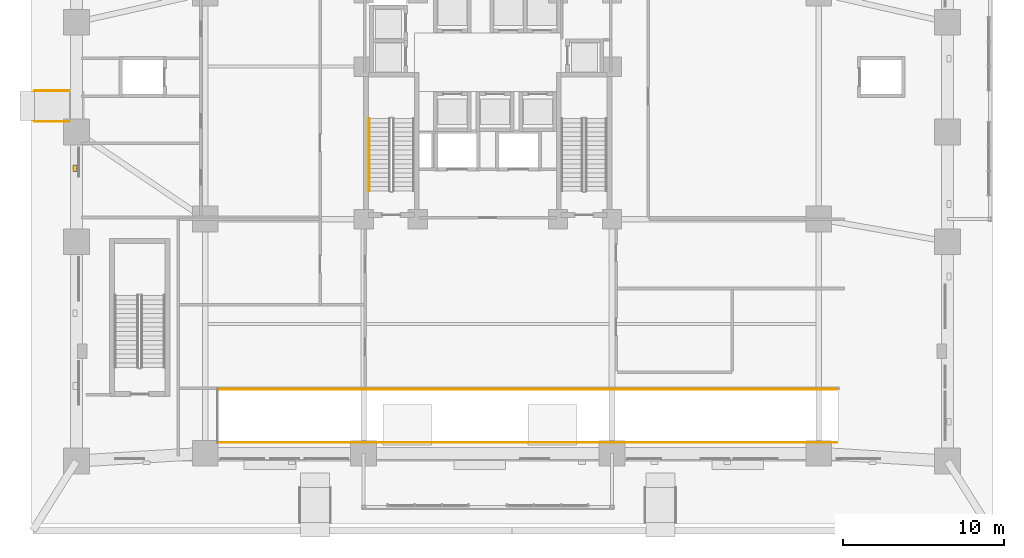
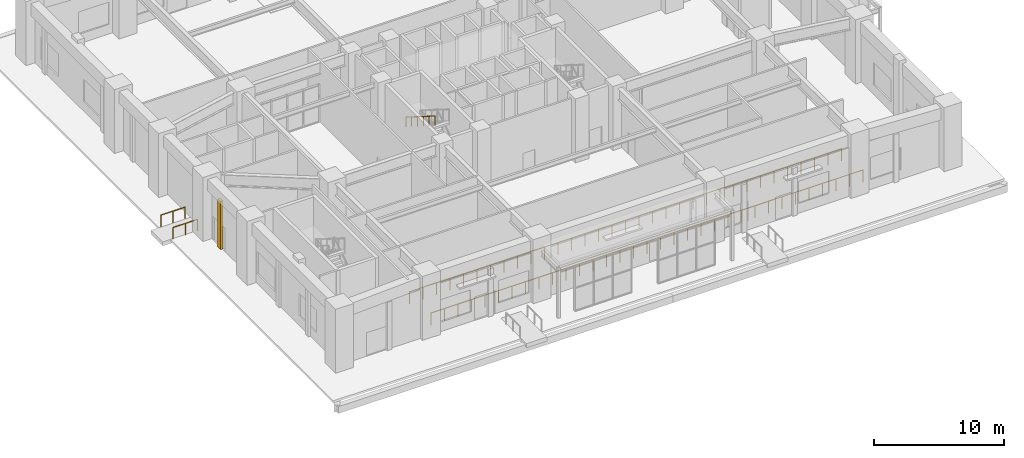
# One storey, part 19 of 24: 5 railings, 1 covering.
"""IFC4 building model written with IfcOpenShell, lengths in metres."""

from ifc_helpers import new_model, si_unit, derived_unit, direction, frame, origin, origin_2d, place, context, subcontext, project, spatial, rectangle, circle, extrude, material, layer, layer_set, type_object, element, save


model = new_model("IFC4")

# Units and contexts
model_context = context("Model", 3, precision=1e-05, world=origin(), true_north=direction((0.0, 1.0)))
body_context = subcontext(model_context, "Body", "Model", "MODEL_VIEW")
ifc_project = project(units=[si_unit("LENGTHUNIT", "METRE"), si_unit("AREAUNIT", "SQUARE_METRE"), si_unit("VOLUMEUNIT", "CUBIC_METRE"), si_unit("PLANEANGLEUNIT", "RADIAN"), si_unit("MASSUNIT", "GRAM", prefix="KILO"), derived_unit("THERMALTRANSMITTANCEUNIT", [(si_unit("MASSUNIT", "GRAM", prefix="KILO"), 1), (si_unit("TIMEUNIT", "SECOND"), -3), (si_unit("THERMODYNAMICTEMPERATUREUNIT", "KELVIN"), -1)])], contexts=[model_context])

# Site, building, storey
site_placement = place(None, origin())
site = spatial("IfcSite", under=ifc_project, at=site_placement, CompositionType="ELEMENT")
building_placement = place(site_placement, origin())
building = spatial("IfcBuilding", under=site, at=building_placement, Name="Korrvale Station Residences", CompositionType="ELEMENT")
storey_placement = place(building_placement, origin())
storey = spatial("IfcBuildingStorey", under=building, at=storey_placement, Name="L00", CompositionType="ELEMENT", Elevation=0.0)

# Covering
ifc_material_1 = material(Name="Architectural precast concrete C45/55", Category="concrete")
ifc_layer = layer(ifc_material_1, 0.219970703125, Name="Architectural precast concrete C45/55")
ifc_layer_set = layer_set([ifc_layer], Name="Architectural precast concrete C45/55")
covering_type = type_object("IfcCoveringType", Name="COV-PIER-400", PredefinedType="CLADDING", material=ifc_layer_set)
covering_placement = place(storey_placement, frame((-0.090087890625, 18.159912109375, 0.02490234375), z_axis=(0.0, 0.0, 1.0), x_axis=(0.0, 1.0, 0.0)))
element("IfcCovering", 1, at=covering_placement, inside=storey, type_object=covering_type, Name="L00 Architectural Precast Facade Pier 15", PredefinedType="CLADDING", context=body_context, shape_type="SweptSolid", body=[
    extrude(rectangle(XDim=0.419921875, YDim=0.219970703125, at=origin_2d()), origin(), (0.0, 0.0, 1.0), 4.514892578125),
])

# Railings
ifc_material_2 = material(Name="Laminated glass and brushed bronze interior atrium balustrade", Category="glass")
railing_type_1 = type_object("IfcRailingType", Name="RLG-ATR-1150", PredefinedType="BALUSTRADE", material=ifc_material_2)
railing_1_placement = place(storey_placement, frame((8.800048828125, 4.449951171875, 0.0)))
element("IfcRailing", 2, at=railing_1_placement, inside=storey, type_object=railing_type_1, Name="L00 Vehicle Ramp Well North Guardrail", PredefinedType="BALUSTRADE", context=body_context, shape_type="SweptSolid", body=[
    extrude(circle(Radius=0.02392578125, at=origin_2d()), frame((0.0, 0.0, 1.1259765625), z_axis=(1.0, 0.0, 0.0), x_axis=(0.0, 1.0, 0.0)), (0.0, 0.0, 1.0), 38.349853515625),
    extrude(circle(Radius=0.02099609375, at=origin_2d()), origin(), (0.0, 0.0, 1.0), 1.101806640625),
    extrude(circle(Radius=0.02099609375, at=origin_2d()), frame((1.198486328125, 0.0, 0.0)), (0.0, 0.0, 1.0), 1.101806640625),
    extrude(circle(Radius=0.02099609375, at=origin_2d()), frame((2.39697265625, 0.0, 0.0)), (0.0, 0.0, 1.0), 1.101806640625),
    extrude(circle(Radius=0.02099609375, at=origin_2d()), frame((3.59521484375, 0.0, 0.0)), (0.0, 0.0, 1.0), 1.101806640625),
    extrude(circle(Radius=0.02099609375, at=origin_2d()), frame((4.793701171875, 0.0, 0.0)), (0.0, 0.0, 1.0), 1.101806640625),
    extrude(circle(Radius=0.02099609375, at=origin_2d()), frame((5.9921875, 0.0, 0.0)), (0.0, 0.0, 1.0), 1.101806640625),
    extrude(circle(Radius=0.02099609375, at=origin_2d()), frame((7.190673828125, 0.0, 0.0)), (0.0, 0.0, 1.0), 1.101806640625),
    extrude(circle(Radius=0.02099609375, at=origin_2d()), frame((8.388916015625, 0.0, 0.0)), (0.0, 0.0, 1.0), 1.101806640625),
    extrude(circle(Radius=0.02099609375, at=origin_2d()), frame((9.58740234375, 0.0, 0.0)), (0.0, 0.0, 1.0), 1.101806640625),
    extrude(circle(Radius=0.02099609375, at=origin_2d()), frame((10.785888671875, 0.0, 0.0)), (0.0, 0.0, 1.0), 1.101806640625),
    extrude(circle(Radius=0.02099609375, at=origin_2d()), frame((11.984375, 0.0, 0.0)), (0.0, 0.0, 1.0), 1.101806640625),
    extrude(circle(Radius=0.02099609375, at=origin_2d()), frame((13.182861328125, 0.0, 0.0)), (0.0, 0.0, 1.0), 1.101806640625),
    extrude(circle(Radius=0.02099609375, at=origin_2d()), frame((14.381103515625, 0.0, 0.0)), (0.0, 0.0, 1.0), 1.101806640625),
    extrude(circle(Radius=0.02099609375, at=origin_2d()), frame((15.57958984375, 0.0, 0.0)), (0.0, 0.0, 1.0), 1.101806640625),
    extrude(circle(Radius=0.02099609375, at=origin_2d()), frame((16.778076171875, 0.0, 0.0)), (0.0, 0.0, 1.0), 1.101806640625),
    extrude(circle(Radius=0.02099609375, at=origin_2d()), frame((17.9765625, 0.0, 0.0)), (0.0, 0.0, 1.0), 1.101806640625),
    extrude(circle(Radius=0.02099609375, at=origin_2d()), frame((19.1748046875, 0.0, 0.0)), (0.0, 0.0, 1.0), 1.101806640625),
    extrude(circle(Radius=0.02099609375, at=origin_2d()), frame((20.373291015625, 0.0, 0.0)), (0.0, 0.0, 1.0), 1.101806640625),
    extrude(circle(Radius=0.02099609375, at=origin_2d()), frame((21.57177734375, 0.0, 0.0)), (0.0, 0.0, 1.0), 1.101806640625),
    extrude(circle(Radius=0.02099609375, at=origin_2d()), frame((22.770263671875, 0.0, 0.0)), (0.0, 0.0, 1.0), 1.101806640625),
    extrude(circle(Radius=0.02099609375, at=origin_2d()), frame((23.96875, 0.0, 0.0)), (0.0, 0.0, 1.0), 1.101806640625),
    extrude(circle(Radius=0.02099609375, at=origin_2d()), frame((25.1669921875, 0.0, 0.0)), (0.0, 0.0, 1.0), 1.101806640625),
    extrude(circle(Radius=0.02099609375, at=origin_2d()), frame((26.365478515625, 0.0, 0.0)), (0.0, 0.0, 1.0), 1.101806640625),
    extrude(circle(Radius=0.02099609375, at=origin_2d()), frame((27.56396484375, 0.0, 0.0)), (0.0, 0.0, 1.0), 1.101806640625),
    extrude(circle(Radius=0.02099609375, at=origin_2d()), frame((28.762451171875, 0.0, 0.0)), (0.0, 0.0, 1.0), 1.101806640625),
    extrude(circle(Radius=0.02099609375, at=origin_2d()), frame((29.9609375, 0.0, 0.0)), (0.0, 0.0, 1.0), 1.101806640625),
    extrude(circle(Radius=0.02099609375, at=origin_2d()), frame((31.1591796875, 0.0, 0.0)), (0.0, 0.0, 1.0), 1.101806640625),
    extrude(circle(Radius=0.02099609375, at=origin_2d()), frame((32.357666015625, 0.0, 0.0)), (0.0, 0.0, 1.0), 1.101806640625),
    extrude(circle(Radius=0.02099609375, at=origin_2d()), frame((33.55615234375, 0.0, 0.0)), (0.0, 0.0, 1.0), 1.101806640625),
    extrude(circle(Radius=0.02099609375, at=origin_2d()), frame((34.754638671875, 0.0, 0.0)), (0.0, 0.0, 1.0), 1.101806640625),
    extrude(circle(Radius=0.02099609375, at=origin_2d()), frame((35.952880859375, 0.0, 0.0)), (0.0, 0.0, 1.0), 1.101806640625),
    extrude(circle(Radius=0.02099609375, at=origin_2d()), frame((37.1513671875, 0.0, 0.0)), (0.0, 0.0, 1.0), 1.101806640625),
    extrude(circle(Radius=0.02099609375, at=origin_2d()), frame((38.349853515625, 0.0, 0.0)), (0.0, 0.0, 1.0), 1.101806640625),
])
railing_2_placement = place(storey_placement, frame((8.800048828125, 1.14990234375, 0.0)))
element("IfcRailing", 3, at=railing_2_placement, inside=storey, type_object=railing_type_1, Name="L00 Vehicle Ramp Well South Guardrail", PredefinedType="BALUSTRADE", context=body_context, shape_type="SweptSolid", body=[
    extrude(circle(Radius=0.02392578125, at=origin_2d()), frame((0.0, 0.0, 1.1259765625), z_axis=(1.0, 0.0, 0.0), x_axis=(0.0, 1.0, 0.0)), (0.0, 0.0, 1.0), 38.349853515625),
    extrude(circle(Radius=0.02099609375, at=origin_2d()), origin(), (0.0, 0.0, 1.0), 1.101806640625),
    extrude(circle(Radius=0.02099609375, at=origin_2d()), frame((1.198486328125, 0.0, 0.0)), (0.0, 0.0, 1.0), 1.101806640625),
    extrude(circle(Radius=0.02099609375, at=origin_2d()), frame((2.39697265625, 0.0, 0.0)), (0.0, 0.0, 1.0), 1.101806640625),
    extrude(circle(Radius=0.02099609375, at=origin_2d()), frame((3.59521484375, 0.0, 0.0)), (0.0, 0.0, 1.0), 1.101806640625),
    extrude(circle(Radius=0.02099609375, at=origin_2d()), frame((4.793701171875, 0.0, 0.0)), (0.0, 0.0, 1.0), 1.101806640625),
    extrude(circle(Radius=0.02099609375, at=origin_2d()), frame((5.9921875, 0.0, 0.0)), (0.0, 0.0, 1.0), 1.101806640625),
    extrude(circle(Radius=0.02099609375, at=origin_2d()), frame((7.190673828125, 0.0, 0.0)), (0.0, 0.0, 1.0), 1.101806640625),
    extrude(circle(Radius=0.02099609375, at=origin_2d()), frame((8.388916015625, 0.0, 0.0)), (0.0, 0.0, 1.0), 1.101806640625),
    extrude(circle(Radius=0.02099609375, at=origin_2d()), frame((9.58740234375, 0.0, 0.0)), (0.0, 0.0, 1.0), 1.101806640625),
    extrude(circle(Radius=0.02099609375, at=origin_2d()), frame((10.785888671875, 0.0, 0.0)), (0.0, 0.0, 1.0), 1.101806640625),
    extrude(circle(Radius=0.02099609375, at=origin_2d()), frame((11.984375, 0.0, 0.0)), (0.0, 0.0, 1.0), 1.101806640625),
    extrude(circle(Radius=0.02099609375, at=origin_2d()), frame((13.182861328125, 0.0, 0.0)), (0.0, 0.0, 1.0), 1.101806640625),
    extrude(circle(Radius=0.02099609375, at=origin_2d()), frame((14.381103515625, 0.0, 0.0)), (0.0, 0.0, 1.0), 1.101806640625),
    extrude(circle(Radius=0.02099609375, at=origin_2d()), frame((15.57958984375, 0.0, 0.0)), (0.0, 0.0, 1.0), 1.101806640625),
    extrude(circle(Radius=0.02099609375, at=origin_2d()), frame((16.778076171875, 0.0, 0.0)), (0.0, 0.0, 1.0), 1.101806640625),
    extrude(circle(Radius=0.02099609375, at=origin_2d()), frame((17.9765625, 0.0, 0.0)), (0.0, 0.0, 1.0), 1.101806640625),
    extrude(circle(Radius=0.02099609375, at=origin_2d()), frame((19.1748046875, 0.0, 0.0)), (0.0, 0.0, 1.0), 1.101806640625),
    extrude(circle(Radius=0.02099609375, at=origin_2d()), frame((20.373291015625, 0.0, 0.0)), (0.0, 0.0, 1.0), 1.101806640625),
    extrude(circle(Radius=0.02099609375, at=origin_2d()), frame((21.57177734375, 0.0, 0.0)), (0.0, 0.0, 1.0), 1.101806640625),
    extrude(circle(Radius=0.02099609375, at=origin_2d()), frame((22.770263671875, 0.0, 0.0)), (0.0, 0.0, 1.0), 1.101806640625),
    extrude(circle(Radius=0.02099609375, at=origin_2d()), frame((23.96875, 0.0, 0.0)), (0.0, 0.0, 1.0), 1.101806640625),
    extrude(circle(Radius=0.02099609375, at=origin_2d()), frame((25.1669921875, 0.0, 0.0)), (0.0, 0.0, 1.0), 1.101806640625),
    extrude(circle(Radius=0.02099609375, at=origin_2d()), frame((26.365478515625, 0.0, 0.0)), (0.0, 0.0, 1.0), 1.101806640625),
    extrude(circle(Radius=0.02099609375, at=origin_2d()), frame((27.56396484375, 0.0, 0.0)), (0.0, 0.0, 1.0), 1.101806640625),
    extrude(circle(Radius=0.02099609375, at=origin_2d()), frame((28.762451171875, 0.0, 0.0)), (0.0, 0.0, 1.0), 1.101806640625),
    extrude(circle(Radius=0.02099609375, at=origin_2d()), frame((29.9609375, 0.0, 0.0)), (0.0, 0.0, 1.0), 1.101806640625),
    extrude(circle(Radius=0.02099609375, at=origin_2d()), frame((31.1591796875, 0.0, 0.0)), (0.0, 0.0, 1.0), 1.101806640625),
    extrude(circle(Radius=0.02099609375, at=origin_2d()), frame((32.357666015625, 0.0, 0.0)), (0.0, 0.0, 1.0), 1.101806640625),
    extrude(circle(Radius=0.02099609375, at=origin_2d()), frame((33.55615234375, 0.0, 0.0)), (0.0, 0.0, 1.0), 1.101806640625),
    extrude(circle(Radius=0.02099609375, at=origin_2d()), frame((34.754638671875, 0.0, 0.0)), (0.0, 0.0, 1.0), 1.101806640625),
    extrude(circle(Radius=0.02099609375, at=origin_2d()), frame((35.952880859375, 0.0, 0.0)), (0.0, 0.0, 1.0), 1.101806640625),
    extrude(circle(Radius=0.02099609375, at=origin_2d()), frame((37.1513671875, 0.0, 0.0)), (0.0, 0.0, 1.0), 1.101806640625),
    extrude(circle(Radius=0.02099609375, at=origin_2d()), frame((38.349853515625, 0.0, 0.0)), (0.0, 0.0, 1.0), 1.101806640625),
])
ifc_material_3 = material(Name="Brushed stainless-steel accessibility ramp guard-handrail", Category="steel")
railing_type_2 = type_object("IfcRailingType", Name="RLG-RMP-1100", PredefinedType="GUARDRAIL", material=ifc_material_3)
for number, where, name in (
    (4, (-2.60009765625, 21.050048828125, 0.0), "Accessible Ramp Guard-Handrail R-ACC-4-A"),
    (5, (-2.60009765625, 22.949951171875, 0.0), "Accessible Ramp Guard-Handrail R-ACC-4-B"),
):
    element("IfcRailing", number, at=place(storey_placement, frame(where)), inside=storey, type_object=railing_type_2, Name=name, PredefinedType="GUARDRAIL", context=body_context, shape_type="SweptSolid", body=[
        extrude(circle(Radius=0.02392578125, at=origin_2d()), frame((0.0, 0.0, 1.076171875), z_axis=(1.0, 0.0, 0.0), x_axis=(0.0, 1.0, 0.0)), (0.0, 0.0, 1.0), 2.16015625),
        extrude(circle(Radius=0.02099609375, at=origin_2d()), origin(), (0.0, 0.0, 1.0), 1.052001953125),
        extrude(circle(Radius=0.02099609375, at=origin_2d()), frame((1.080078125, 0.0, 0.0)), (0.0, 0.0, 1.0), 1.052001953125),
        extrude(circle(Radius=0.02099609375, at=origin_2d()), frame((2.16015625, 0.0, 0.0)), (0.0, 0.0, 1.0), 1.052001953125),
    ])
ifc_material_4 = material(Name="Brushed stainless-steel continuous stair handrail", Category="steel")
railing_type_3 = type_object("IfcRailingType", Name="RLG-SHND-900", PredefinedType="HANDRAIL", material=ifc_material_4)
railing_3_placement = place(storey_placement, frame((18.14990234375, 21.22998046875, 3.176513671875)))
element("IfcRailing", 6, at=railing_3_placement, inside=storey, type_object=railing_type_3, Name="L00 ST-1 stair handrail 2", PredefinedType="HANDRAIL", context=body_context, shape_type="SweptSolid", body=[
    extrude(circle(Radius=0.02392578125, at=origin_2d()), frame((0.0, 0.0, 0.8759765625), z_axis=(0.0, -0.845997938375, 0.533186166611), x_axis=(1.0, 0.0, 0.0)), (0.0, 0.0, 1.0), 5.29541015625),
    extrude(circle(Radius=0.02099609375, at=origin_2d()), origin(), (0.0, 0.0, 1.0), 0.851806640625),
    extrude(circle(Radius=0.02099609375, at=origin_2d()), frame((0.0, -0.89599609375, 0.564697265625)), (0.0, 0.0, 1.0), 0.851806640625),
    extrude(circle(Radius=0.02099609375, at=origin_2d()), frame((0.0, -1.7919921875, 1.12939453125)), (0.0, 0.0, 1.0), 0.851806640625),
    extrude(circle(Radius=0.02099609375, at=origin_2d()), frame((0.0, -2.68798828125, 1.694091796875)), (0.0, 0.0, 1.0), 0.851806640625),
    extrude(circle(Radius=0.02099609375, at=origin_2d()), frame((0.0, -3.583984375, 2.2587890625)), (0.0, 0.0, 1.0), 0.851806640625),
    extrude(circle(Radius=0.02099609375, at=origin_2d()), frame((0.0, -4.47998046875, 2.823486328125)), (0.0, 0.0, 1.0), 0.851806640625),
])

save(model, "model.ifc")
